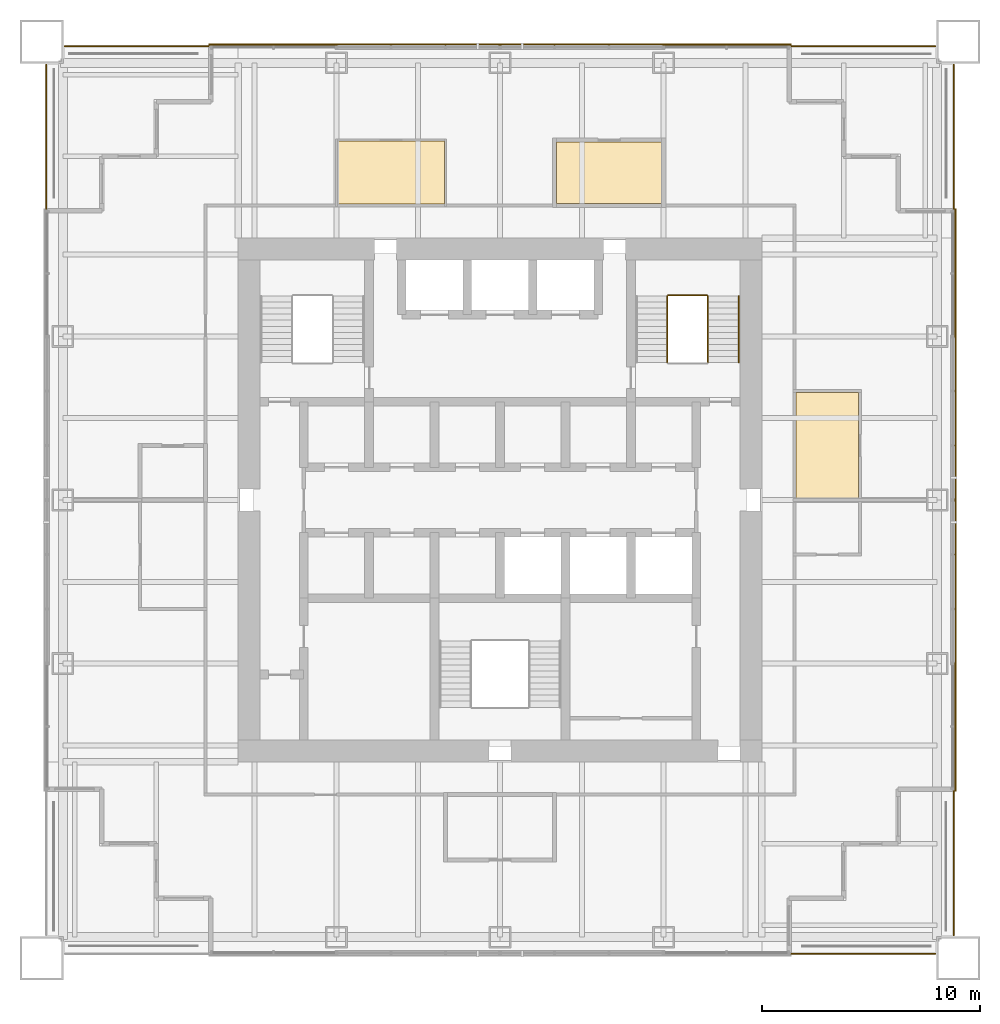
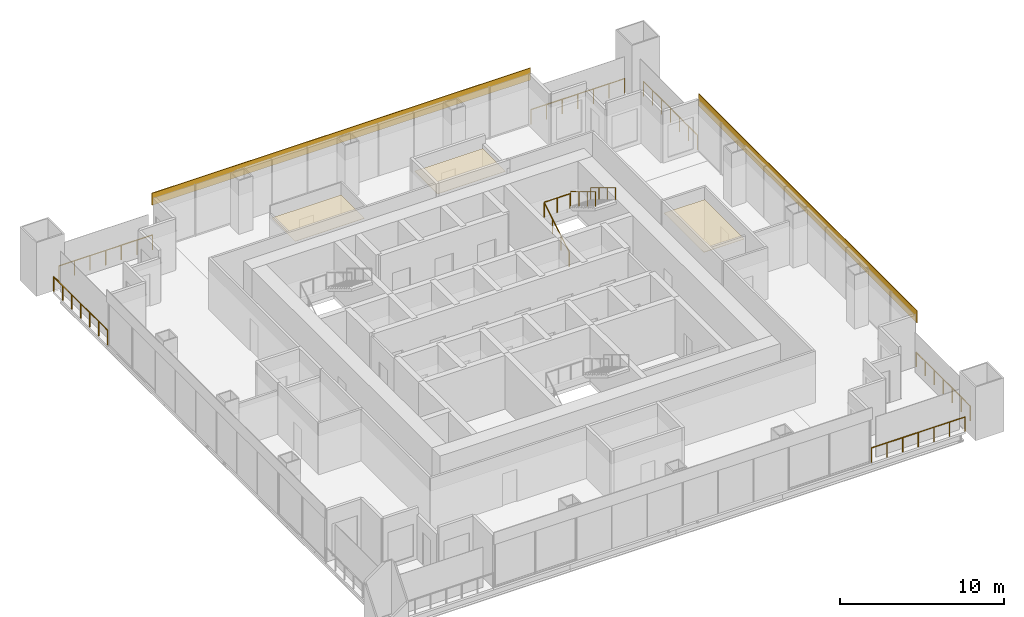
# One storey, part 14 of 14: 10 railings, 5 coverings.
"""IFC4 building model written with IfcOpenShell, lengths in metres."""

from ifc_helpers import new_model, si_unit, direction, frame, origin, origin_2d, place, context, subcontext, project, spatial, polyline, rectangle, circle, outline, extrude, material, layer, layer_set, type_object, element, save


model = new_model("IFC4")

# Units and contexts
model_context = context("Model", 3, precision=1e-05, world=origin(), true_north=direction((0.0, 1.0)))
body_context = subcontext(model_context, "Body", "Model", "MODEL_VIEW")
ifc_project = project(units=[si_unit("LENGTHUNIT", "METRE"), si_unit("AREAUNIT", "SQUARE_METRE"), si_unit("VOLUMEUNIT", "CUBIC_METRE"), si_unit("PLANEANGLEUNIT", "RADIAN"), si_unit("MASSUNIT", "GRAM", prefix="KILO")], contexts=[model_context])

# Site, building, storey
site_placement = place(None, origin())
site = spatial("IfcSite", under=ifc_project, at=site_placement, CompositionType="ELEMENT")
building_placement = place(site_placement, origin())
building = spatial("IfcBuilding", under=site, at=building_placement, Name="Tarangal Relay Tower", CompositionType="ELEMENT")
storey_placement = place(building_placement, frame((0.0, 0.0, 279.89990234375)))
storey = spatial("IfcBuildingStorey", under=building, at=storey_placement, Name="L61", CompositionType="ELEMENT", Elevation=279.89990234375)

# Coverings
ifc_material_1 = material(Name="Black anodised aluminium cladding", Category="aluminium")
ifc_layer_1 = layer(ifc_material_1, 0.050048828125)
ifc_layer_set_1 = layer_set([ifc_layer_1], Name="Black metal spandrel band")
covering_type_1 = type_object("IfcCoveringType", Name="Black metal spandrel band", PredefinedType="CLADDING", material=ifc_layer_set_1)
for number, where, z_axis, x_axis, name in (
    (1, (0.0, 20.875, 3.250244140625), (0.0, 0.0, 1.0), (1.0, 0.0, 0.0), "Spandrel band SB1 N L61"),
    (2, (20.875, 0.0, 3.250244140625), (0.0, 0.0, 1.0), (0.0, -1.0, 0.0), "Spandrel band SB1 E L61"),
):
    element("IfcCovering", number, at=place(storey_placement, frame(where, z_axis=z_axis, x_axis=x_axis)), inside=storey, type_object=covering_type_1, Name=name, PredefinedType="CLADDING", context=body_context, shape_type="SweptSolid", body=[
        extrude(rectangle(XDim=26.699951171875, YDim=0.050048828125, at=origin_2d()), origin(), (0.0, 0.0, 1.0), 0.89990234375),
    ])

# Railings
ifc_material_2 = material(Name="Steel guard, black finish", Category="steel")
railing_type_1 = type_object("IfcRailingType", Name="Stair guard 1100", PredefinedType="GUARDRAIL", material=ifc_material_2)
railing_1_placement = place(storey_placement, frame((7.669921875, 6.300048828125, 0.166748046875)))
element("IfcRailing", 3, at=railing_1_placement, inside=storey, type_object=railing_type_1, Name="Stair ST-B guard GR1 L61 flight 1", PredefinedType="GUARDRAIL", context=body_context, shape_type="SweptSolid", body=[
    extrude(circle(Radius=0.02392578125, at=origin_2d()), frame((0.0, 0.0, 1.076171875), z_axis=(0.0, 0.85685617095, 0.515555527858), x_axis=(-1.0, 0.0, 0.0)), (0.0, 0.0, 1.0), 3.555908203125),
    extrude(circle(Radius=0.02099609375, at=origin_2d()), origin(), (0.0, 0.0, 1.0), 1.052001953125),
    extrude(circle(Radius=0.02099609375, at=origin_2d()), frame((0.0, 1.015625, 0.611083984375)), (0.0, 0.0, 1.0), 1.052001953125),
    extrude(circle(Radius=0.02099609375, at=origin_2d()), frame((0.0, 2.03125, 1.22216796875)), (0.0, 0.0, 1.0), 1.052001953125),
    extrude(circle(Radius=0.02099609375, at=origin_2d()), frame((0.0, 3.046875, 1.833251953125)), (0.0, 0.0, 1.0), 1.052001953125),
])
railing_2_placement = place(storey_placement, frame((9.530029296875, 9.346923828125, 2.166748046875)))
element("IfcRailing", 4, at=railing_2_placement, inside=storey, type_object=railing_type_1, Name="Stair ST-B guard GR1 L61 flight 2", PredefinedType="GUARDRAIL", context=body_context, shape_type="SweptSolid", body=[
    extrude(circle(Radius=0.02392578125, at=origin_2d()), frame((0.0, 0.0, 1.076171875), z_axis=(0.0, -0.85685617095, 0.515555527858), x_axis=(1.0, 0.0, 0.0)), (0.0, 0.0, 1.0), 3.555908203125),
    extrude(circle(Radius=0.02099609375, at=origin_2d()), origin(), (0.0, 0.0, 1.0), 1.052001953125),
    extrude(circle(Radius=0.02099609375, at=origin_2d()), frame((0.0, -1.015625, 0.611083984375)), (0.0, 0.0, 1.0), 1.052001953125),
    extrude(circle(Radius=0.02099609375, at=origin_2d()), frame((0.0, -2.03125, 1.22216796875)), (0.0, 0.0, 1.0), 1.052001953125),
    extrude(circle(Radius=0.02099609375, at=origin_2d()), frame((0.0, -3.046875, 1.833251953125)), (0.0, 0.0, 1.0), 1.052001953125),
])
railing_3_placement = place(storey_placement, frame((7.699951171875, 9.376953125, 2.0)))
element("IfcRailing", 5, at=railing_3_placement, inside=storey, type_object=railing_type_1, Name="Stair ST-B landing guard GR1 L61", PredefinedType="GUARDRAIL", context=body_context, shape_type="SweptSolid", body=[
    extrude(circle(Radius=0.02392578125, at=origin_2d()), frame((0.0, 0.0, 1.076171875), z_axis=(1.0, 0.0, 0.0), x_axis=(0.0, 1.0, 0.0)), (0.0, 0.0, 1.0), 1.800048828125),
    extrude(circle(Radius=0.02099609375, at=origin_2d()), origin(), (0.0, 0.0, 1.0), 1.052001953125),
    extrude(circle(Radius=0.02099609375, at=origin_2d()), frame((0.89990234375, 0.0, 0.0)), (0.0, 0.0, 1.0), 1.052001953125),
    extrude(circle(Radius=0.02099609375, at=origin_2d()), frame((1.800048828125, 0.0, 0.0)), (0.0, 0.0, 1.0), 1.052001953125),
])
ifc_material_3 = material(Name="Steel handrail, black finish", Category="steel")
railing_type_2 = type_object("IfcRailingType", Name="Stair handrail 900", PredefinedType="HANDRAIL", material=ifc_material_3)
railing_4_placement = place(storey_placement, frame((10.93994140625, 9.346923828125, 2.166748046875)))
element("IfcRailing", 6, at=railing_4_placement, inside=storey, type_object=railing_type_2, Name="Stair ST-B handrail HR1 L61 flight 2", PredefinedType="HANDRAIL", context=body_context, shape_type="SweptSolid", body=[
    extrude(circle(Radius=0.02392578125, at=origin_2d()), frame((0.0, 0.0, 0.8759765625), z_axis=(0.0, -0.85685617095, 0.515555527858), x_axis=(1.0, 0.0, 0.0)), (0.0, 0.0, 1.0), 3.555908203125),
    extrude(circle(Radius=0.02099609375, at=origin_2d()), origin(), (0.0, 0.0, 1.0), 0.851806640625),
    extrude(circle(Radius=0.02099609375, at=origin_2d()), frame((0.0, -1.015625, 0.611083984375)), (0.0, 0.0, 1.0), 0.851806640625),
    extrude(circle(Radius=0.02099609375, at=origin_2d()), frame((0.0, -2.03125, 1.22216796875)), (0.0, 0.0, 1.0), 0.851806640625),
    extrude(circle(Radius=0.02099609375, at=origin_2d()), frame((0.0, -3.046875, 1.833251953125)), (0.0, 0.0, 1.0), 0.851806640625),
])

# Coverings
ifc_material_4 = material(Name="Mineral fibre ceiling tiles", Category="gypsum")
ifc_layer_2 = layer(ifc_material_4, 0.02001953125)
ifc_layer_set_2 = layer_set([ifc_layer_2], Name="Suspended ceiling")
covering_type_2 = type_object("IfcCoveringType", Name="Suspended ceiling", PredefinedType="CEILING", material=ifc_layer_set_2)
covering_1_placement = place(storey_placement, frame((0.0, 0.0, 2.900146484375)))
element("IfcCovering", 7, at=covering_1_placement, inside=storey, type_object=covering_type_2, Name="Suspended ceiling CL1 L61-02", PredefinedType="CEILING", context=body_context, shape_type="SweptSolid", body=[
    extrude(outline(polyline([(-7.449951171875, 13.574951171875), (-2.550048828125, 13.574951171875), (-2.550048828125, 16.449951171875), (-7.449951171875, 16.449951171875), (-7.449951171875, 13.574951171875)])), origin(), (0.0, 0.0, 1.0), 0.02001953125),
])
covering_2_placement = place(storey_placement, frame((0.0, 0.0, 2.900146484375)))
element("IfcCovering", 8, at=covering_2_placement, inside=storey, type_object=covering_type_2, Name="Suspended ceiling CL1 L61-03", PredefinedType="CEILING", context=body_context, shape_type="SweptSolid", body=[
    extrude(outline(polyline([(2.60009765625, 16.39990234375), (2.60009765625, 13.60009765625), (7.39990234375, 13.60009765625), (7.39990234375, 16.39990234375), (2.60009765625, 16.39990234375)])), origin(), (0.0, 0.0, 1.0), 0.02001953125),
])
covering_3_placement = place(storey_placement, frame((0.0, 0.0, 2.900146484375)))
element("IfcCovering", 9, at=covering_3_placement, inside=storey, type_object=covering_type_2, Name="Suspended ceiling CL1 L61-04", PredefinedType="CEILING", context=body_context, shape_type="SweptSolid", body=[
    extrude(outline(polyline([(16.425048828125, 0.074951171875), (16.425048828125, 4.925048828125), (13.574951171875, 4.925048828125), (13.574951171875, 0.074951171875), (16.425048828125, 0.074951171875)])), origin(), (0.0, 0.0, 1.0), 0.02001953125),
])

# Railings
ifc_material_5 = material(Name="Black steel guard with glass infill", Category="steel")
railing_type_3 = type_object("IfcRailingType", Name="Terrace guard 1100", PredefinedType="GUARDRAIL", material=ifc_material_5)
railing_5_placement = place(storey_placement, frame((13.35009765625, 20.800048828125, 0.0)))
element("IfcRailing", 10, at=railing_5_placement, inside=storey, type_object=railing_type_3, Name="Terrace guard GR2 NE L61", PredefinedType="GUARDRAIL", context=body_context, shape_type="SweptSolid", body=[
    extrude(circle(Radius=0.02392578125, at=origin_2d()), frame((0.0, 0.0, 1.076171875), z_axis=(1.0, 0.0, 0.0), x_axis=(0.0, 1.0, 0.0)), (0.0, 0.0, 1.0), 6.599853515625),
    extrude(circle(Radius=0.02099609375, at=origin_2d()), origin(), (0.0, 0.0, 1.0), 1.052001953125),
    extrude(circle(Radius=0.02099609375, at=origin_2d()), frame((1.10009765625, 0.0, 0.0)), (0.0, 0.0, 1.0), 1.052001953125),
    extrude(circle(Radius=0.02099609375, at=origin_2d()), frame((2.199951171875, 0.0, 0.0)), (0.0, 0.0, 1.0), 1.052001953125),
    extrude(circle(Radius=0.02099609375, at=origin_2d()), frame((3.2998046875, 0.0, 0.0)), (0.0, 0.0, 1.0), 1.052001953125),
    extrude(circle(Radius=0.02099609375, at=origin_2d()), frame((4.39990234375, 0.0, 0.0)), (0.0, 0.0, 1.0), 1.052001953125),
    extrude(circle(Radius=0.02099609375, at=origin_2d()), frame((5.5, 0.0, 0.0)), (0.0, 0.0, 1.0), 1.052001953125),
    extrude(circle(Radius=0.02099609375, at=origin_2d()), frame((6.599853515625, 0.0, 0.0)), (0.0, 0.0, 1.0), 1.052001953125),
])
for number, where, name in (
    (11, (20.800048828125, 19.949951171875, 0.0), "Terrace guard GR2 NE L61"),
    (12, (20.800048828125, -13.35009765625, 0.0), "Terrace guard GR2 SE L61"),
):
    element("IfcRailing", number, at=place(storey_placement, frame(where)), inside=storey, type_object=railing_type_3, Name=name, PredefinedType="GUARDRAIL", context=body_context, shape_type="SweptSolid", body=[
        extrude(circle(Radius=0.02392578125, at=origin_2d()), frame((0.0, 0.0, 1.076171875), z_axis=(0.0, -1.0, 0.0), x_axis=(1.0, 0.0, 0.0)), (0.0, 0.0, 1.0), 6.599853515625),
        extrude(circle(Radius=0.02099609375, at=origin_2d()), origin(), (0.0, 0.0, 1.0), 1.052001953125),
        extrude(circle(Radius=0.02099609375, at=origin_2d()), frame((0.0, -1.10009765625, 0.0)), (0.0, 0.0, 1.0), 1.052001953125),
        extrude(circle(Radius=0.02099609375, at=origin_2d()), frame((0.0, -2.199951171875, 0.0)), (0.0, 0.0, 1.0), 1.052001953125),
        extrude(circle(Radius=0.02099609375, at=origin_2d()), frame((0.0, -3.2998046875, 0.0)), (0.0, 0.0, 1.0), 1.052001953125),
        extrude(circle(Radius=0.02099609375, at=origin_2d()), frame((0.0, -4.39990234375, 0.0)), (0.0, 0.0, 1.0), 1.052001953125),
        extrude(circle(Radius=0.02099609375, at=origin_2d()), frame((0.0, -5.5, 0.0)), (0.0, 0.0, 1.0), 1.052001953125),
        extrude(circle(Radius=0.02099609375, at=origin_2d()), frame((0.0, -6.599853515625, 0.0)), (0.0, 0.0, 1.0), 1.052001953125),
    ])
railing_6_placement = place(storey_placement, frame((19.949951171875, -20.800048828125, 0.0)))
element("IfcRailing", 13, at=railing_6_placement, inside=storey, type_object=railing_type_3, Name="Terrace guard GR2 SE L61", PredefinedType="GUARDRAIL", context=body_context, shape_type="SweptSolid", body=[
    extrude(circle(Radius=0.02392578125, at=origin_2d()), frame((0.0, 0.0, 1.076171875), z_axis=(-1.0, 0.0, 0.0), x_axis=(0.0, -1.0, 0.0)), (0.0, 0.0, 1.0), 6.599853515625),
    extrude(circle(Radius=0.02099609375, at=origin_2d()), origin(), (0.0, 0.0, 1.0), 1.052001953125),
    extrude(circle(Radius=0.02099609375, at=origin_2d()), frame((-1.10009765625, 0.0, 0.0)), (0.0, 0.0, 1.0), 1.052001953125),
    extrude(circle(Radius=0.02099609375, at=origin_2d()), frame((-2.199951171875, 0.0, 0.0)), (0.0, 0.0, 1.0), 1.052001953125),
    extrude(circle(Radius=0.02099609375, at=origin_2d()), frame((-3.2998046875, 0.0, 0.0)), (0.0, 0.0, 1.0), 1.052001953125),
    extrude(circle(Radius=0.02099609375, at=origin_2d()), frame((-4.39990234375, 0.0, 0.0)), (0.0, 0.0, 1.0), 1.052001953125),
    extrude(circle(Radius=0.02099609375, at=origin_2d()), frame((-5.5, 0.0, 0.0)), (0.0, 0.0, 1.0), 1.052001953125),
    extrude(circle(Radius=0.02099609375, at=origin_2d()), frame((-6.599853515625, 0.0, 0.0)), (0.0, 0.0, 1.0), 1.052001953125),
])
railing_7_placement = place(storey_placement, frame((-20.800048828125, 13.35009765625, 0.0)))
element("IfcRailing", 14, at=railing_7_placement, inside=storey, type_object=railing_type_3, Name="Terrace guard GR2 NW L61", PredefinedType="GUARDRAIL", context=body_context, shape_type="SweptSolid", body=[
    extrude(circle(Radius=0.02392578125, at=origin_2d()), frame((0.0, 0.0, 1.076171875), z_axis=(0.0, 1.0, 0.0), x_axis=(-1.0, 0.0, 0.0)), (0.0, 0.0, 1.0), 6.599853515625),
    extrude(circle(Radius=0.02099609375, at=origin_2d()), origin(), (0.0, 0.0, 1.0), 1.052001953125),
    extrude(circle(Radius=0.02099609375, at=origin_2d()), frame((0.0, 1.10009765625, 0.0)), (0.0, 0.0, 1.0), 1.052001953125),
    extrude(circle(Radius=0.02099609375, at=origin_2d()), frame((0.0, 2.199951171875, 0.0)), (0.0, 0.0, 1.0), 1.052001953125),
    extrude(circle(Radius=0.02099609375, at=origin_2d()), frame((0.0, 3.2998046875, 0.0)), (0.0, 0.0, 1.0), 1.052001953125),
    extrude(circle(Radius=0.02099609375, at=origin_2d()), frame((0.0, 4.39990234375, 0.0)), (0.0, 0.0, 1.0), 1.052001953125),
    extrude(circle(Radius=0.02099609375, at=origin_2d()), frame((0.0, 5.5, 0.0)), (0.0, 0.0, 1.0), 1.052001953125),
    extrude(circle(Radius=0.02099609375, at=origin_2d()), frame((0.0, 6.599853515625, 0.0)), (0.0, 0.0, 1.0), 1.052001953125),
])
railing_8_placement = place(storey_placement, frame((-19.949951171875, 20.800048828125, 0.0)))
element("IfcRailing", 15, at=railing_8_placement, inside=storey, type_object=railing_type_3, Name="Terrace guard GR2 NW L61", PredefinedType="GUARDRAIL", context=body_context, shape_type="SweptSolid", body=[
    extrude(circle(Radius=0.02392578125, at=origin_2d()), frame((0.0, 0.0, 1.076171875), z_axis=(1.0, 0.0, 0.0), x_axis=(0.0, 1.0, 0.0)), (0.0, 0.0, 1.0), 6.599853515625),
    extrude(circle(Radius=0.02099609375, at=origin_2d()), origin(), (0.0, 0.0, 1.0), 1.052001953125),
    extrude(circle(Radius=0.02099609375, at=origin_2d()), frame((1.10009765625, 0.0, 0.0)), (0.0, 0.0, 1.0), 1.052001953125),
    extrude(circle(Radius=0.02099609375, at=origin_2d()), frame((2.199951171875, 0.0, 0.0)), (0.0, 0.0, 1.0), 1.052001953125),
    extrude(circle(Radius=0.02099609375, at=origin_2d()), frame((3.2998046875, 0.0, 0.0)), (0.0, 0.0, 1.0), 1.052001953125),
    extrude(circle(Radius=0.02099609375, at=origin_2d()), frame((4.39990234375, 0.0, 0.0)), (0.0, 0.0, 1.0), 1.052001953125),
    extrude(circle(Radius=0.02099609375, at=origin_2d()), frame((5.5, 0.0, 0.0)), (0.0, 0.0, 1.0), 1.052001953125),
    extrude(circle(Radius=0.02099609375, at=origin_2d()), frame((6.599853515625, 0.0, 0.0)), (0.0, 0.0, 1.0), 1.052001953125),
])

save(model, "model.ifc")
